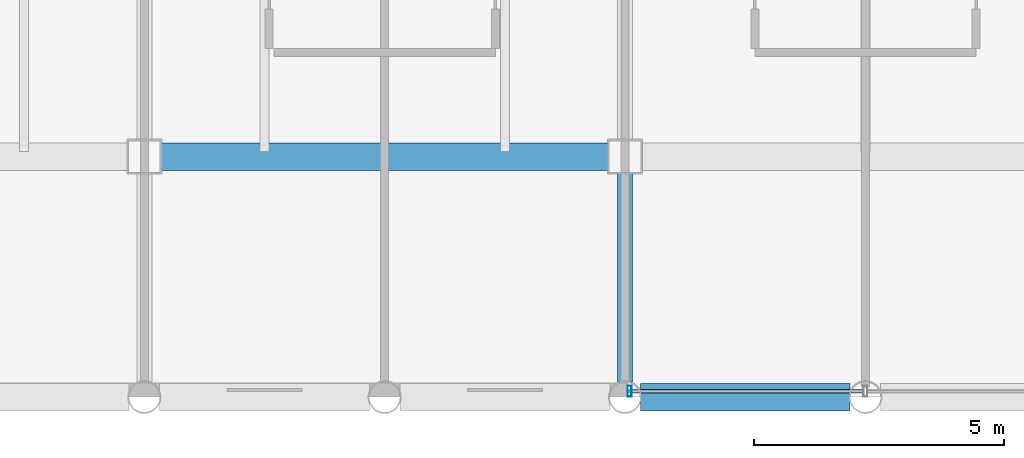
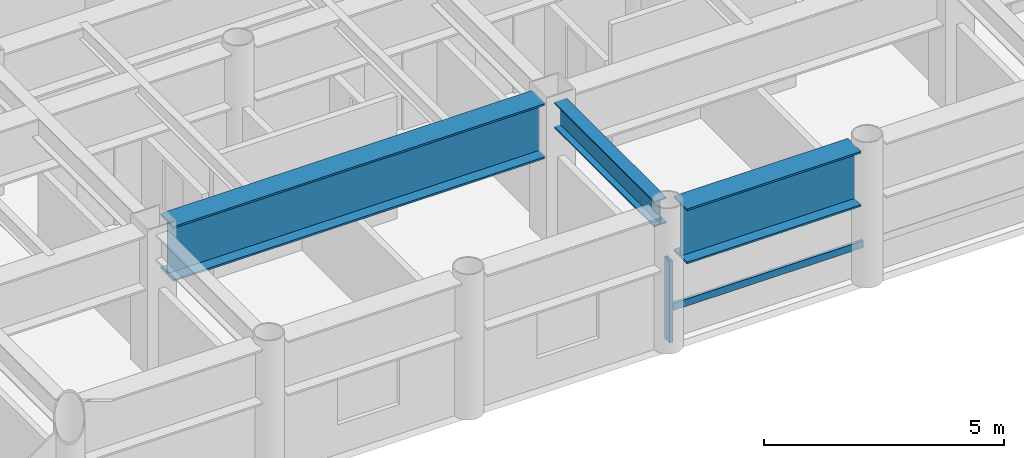
# One storey, part 2 of 23: 3 beams, 2 members, 1 element without a shape of its own.
"""IFC4 building model written with IfcOpenShell, lengths in metres."""

from ifc_helpers import new_model, si_unit, direction, frame, origin, origin_2d, place, context, subcontext, project, spatial, hollow_rectangle, i_section, extrude, material, layer, layer_set, material_profile, profile_set, type_object, element, aggregate, save


model = new_model("IFC4")

# Units and contexts
model_context = context("Model", 3, precision=1e-05, world=origin(), true_north=direction((0.0, 1.0)))
body_context = subcontext(model_context, "Body", "Model", "MODEL_VIEW")
ifc_project = project(units=[si_unit("LENGTHUNIT", "METRE"), si_unit("AREAUNIT", "SQUARE_METRE"), si_unit("VOLUMEUNIT", "CUBIC_METRE"), si_unit("PLANEANGLEUNIT", "RADIAN"), si_unit("MASSUNIT", "GRAM", prefix="KILO")], contexts=[model_context])

# Site, building, storey
site_placement = place(None, origin())
site = spatial("IfcSite", under=ifc_project, at=site_placement, CompositionType="ELEMENT")
building_placement = place(site_placement, origin())
building = spatial("IfcBuilding", under=site, at=building_placement, Name="Kallvorn Hotel Tower", CompositionType="ELEMENT")
storey_placement = place(building_placement, frame((0.0, 0.0, 124.800048828125)))
storey = spatial("IfcBuildingStorey", under=building, at=storey_placement, Name="L30", CompositionType="ELEMENT", Elevation=124.800048828125)

# Beams
ifc_material_1 = material(Name="Structural steel S355JR", Category="steel")
ifc_material_profile_1 = material_profile(ifc_material_1, i_section(OverallWidth=0.300048828125, OverallDepth=0.64990234375, WebThickness=0.01611328125, FlangeThickness=0.031005859375, at=origin_2d()), Name="HE 650 B")
ifc_profile_set_1 = profile_set([ifc_material_profile_1], Name="Structural steel S355JR")
beam_type_1 = type_object("IfcBeamType", Name="BM_HE650B", PredefinedType="BEAM", material=ifc_profile_set_1)
beam_1_placement = place(storey_placement, frame((-4.800048828125, -18.89501953125, 3.195068359375), z_axis=(0.0, 1.0, 0.0), x_axis=(-1.0, 0.0, 0.0)))
element("IfcBeam", 1, at=beam_1_placement, inside=storey, type_object=beam_type_1, Name="L31 Primary Y-Girder 106", PredefinedType="BEAM", context=body_context, shape_type="SweptSolid", body=[
    extrude(i_section(OverallWidth=0.300048828125, OverallDepth=0.64990234375, WebThickness=0.01611328125, FlangeThickness=0.031005859375, at=origin_2d()), origin(), (0.0, 0.0, 1.0), 4.169921875),
])
ifc_material_2 = material(Name="Structural steel S355JR", Category="steel")
ifc_material_profile_2 = material_profile(ifc_material_2, i_section(OverallWidth=0.550048828125, OverallDepth=1.39990234375, WebThickness=0.02490234375, FlangeThickness=0.044921875, at=origin_2d()), Name="PG 1400x550x25x45")
ifc_profile_set_2 = profile_set([ifc_material_profile_2], Name="Structural steel S355JR")
beam_type_2 = type_object("IfcBeamType", Name="BM_PG_1400", PredefinedType="BEAM", material=ifc_profile_set_2)
beam_2_placement = place(storey_placement, frame((-4.4951171875, -19.199951171875, 2.820068359375), z_axis=(1.0, 0.0, 0.0), x_axis=(0.0, 1.0, 0.0)))
element("IfcBeam", 2, at=beam_2_placement, inside=storey, type_object=beam_type_2, Name="L31 Primary X-Girder 06", PredefinedType="BEAM", context=body_context, shape_type="SweptSolid", body=[
    extrude(i_section(OverallWidth=0.550048828125, OverallDepth=1.39990234375, WebThickness=0.02490234375, FlangeThickness=0.044921875, at=origin_2d()), origin(), (0.0, 0.0, 1.0), 4.190185546875),
])
beam_3_placement = place(storey_placement, frame((-14.074951171875, -14.39990234375, 2.820068359375), z_axis=(1.0, 0.0, 0.0), x_axis=(0.0, 1.0, 0.0)))
element("IfcBeam", 3, at=beam_3_placement, inside=storey, type_object=beam_type_2, Name="L31 Primary X-Girder 17", PredefinedType="BEAM", context=body_context, shape_type="SweptSolid", body=[
    extrude(i_section(OverallWidth=0.550048828125, OverallDepth=1.39990234375, WebThickness=0.02490234375, FlangeThickness=0.044921875, at=origin_2d()), origin(), (0.0, 0.0, 1.0), 8.949951171875),
])

# Curtain wall, members
ifc_material_3 = material(Name="Thermally broken black-anodised aluminium AA 6063-T6", Category="aluminium")
ifc_layer = layer(ifc_material_3, 0.2099609375)
ifc_layer_set = layer_set([ifc_layer], Name="CW_SYS_4_HOTEL_MID")
curtain_wall_type = type_object("IfcCurtainWallType", Name="CW_SYS_4_HOTEL_MID", PredefinedType="USERDEFINED", material=ifc_layer_set)
curtain_wall_placement = place(storey_placement, origin())
curtain_wall = element("IfcCurtainWall", 4, at=curtain_wall_placement, inside=storey, type_object=curtain_wall_type, Name="L30 Dark-Glass Curtain Wall CW-L30-SC", ObjectType="UNITISED CURTAIN WALL", PredefinedType="USERDEFINED")
ifc_material_4 = material(Name="Thermally broken black-anodised aluminium AA 6063-T6", Category="aluminium")
ifc_material_profile_3 = material_profile(ifc_material_4, hollow_rectangle(XDim=0.080078125, YDim=0.219970703125, WallThickness=0.0048828125, at=origin_2d()), Name="MUL 220x80")
ifc_profile_set_3 = profile_set([ifc_material_profile_3], Name="Thermally broken black-anodised aluminium AA 6063-T6")
member_type_1 = type_object("IfcMemberType", Name="CW_MULLION_220x80", PredefinedType="MULLION", material=ifc_profile_set_3)
member_1_placement = place(storey_placement, frame((-4.7099609375, -19.080078125, 0.02001953125), z_axis=(0.0, 0.0, 1.0), x_axis=(1.0, 0.0, 0.0)))
member_1 = element("IfcMember", 5, at=member_1_placement, type_object=member_type_1, Name="CW-L30-SC Mullion 00", PredefinedType="MULLION", context=body_context, shape_type="SweptSolid", body=[
    extrude(hollow_rectangle(XDim=0.080078125, YDim=0.219970703125, WallThickness=0.0048828125, at=origin_2d()), origin(), (0.0, 0.0, 1.0), 2.079833984375),
])
ifc_material_5 = material(Name="Thermally broken black-anodised aluminium AA 6063-T6", Category="aluminium")
ifc_material_profile_4 = material_profile(ifc_material_5, hollow_rectangle(XDim=0.070068359375, YDim=0.179931640625, WallThickness=0.00390625, at=origin_2d()), Name="TRN 180x70")
ifc_profile_set_4 = profile_set([ifc_material_profile_4], Name="Thermally broken black-anodised aluminium AA 6063-T6")
member_type_2 = type_object("IfcMemberType", Name="CW_TRANSOM_180x70", PredefinedType="USERDEFINED", material=ifc_profile_set_4)
member_2_placement = place(storey_placement, frame((-4.7099609375, -19.080078125, 0.849853515625), z_axis=(1.0, 0.0, 0.0), x_axis=(0.0, 1.0, 0.0)))
member_2 = element("IfcMember", 6, at=member_2_placement, type_object=member_type_2, Name="CW-L30-SC Transom 00M", ObjectType="TRANSOM", PredefinedType="USERDEFINED", context=body_context, shape_type="SweptSolid", body=[
    extrude(hollow_rectangle(XDim=0.070068359375, YDim=0.179931640625, WallThickness=0.00390625, at=origin_2d()), origin(), (0.0, 0.0, 1.0), 4.669921875),
])
aggregate(curtain_wall, [member_1, member_2])

save(model, "model.ifc")
